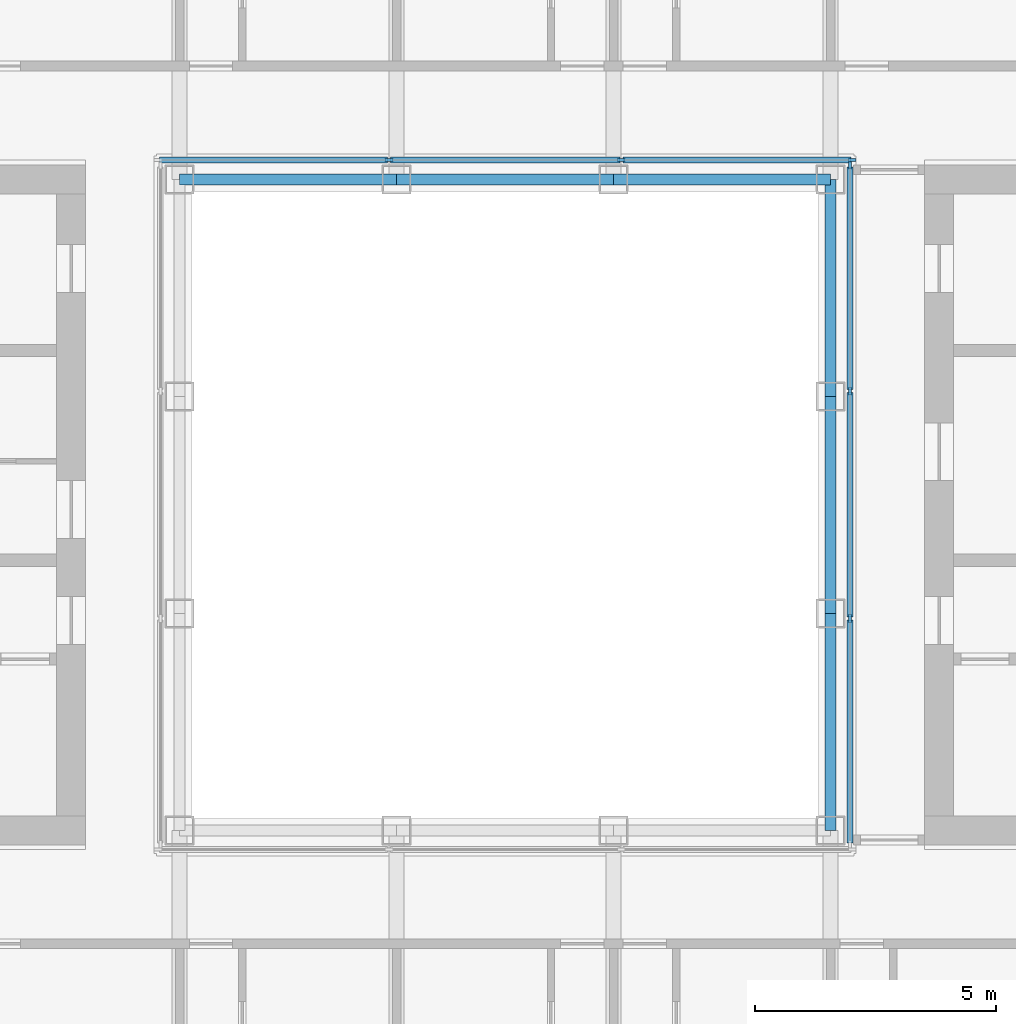
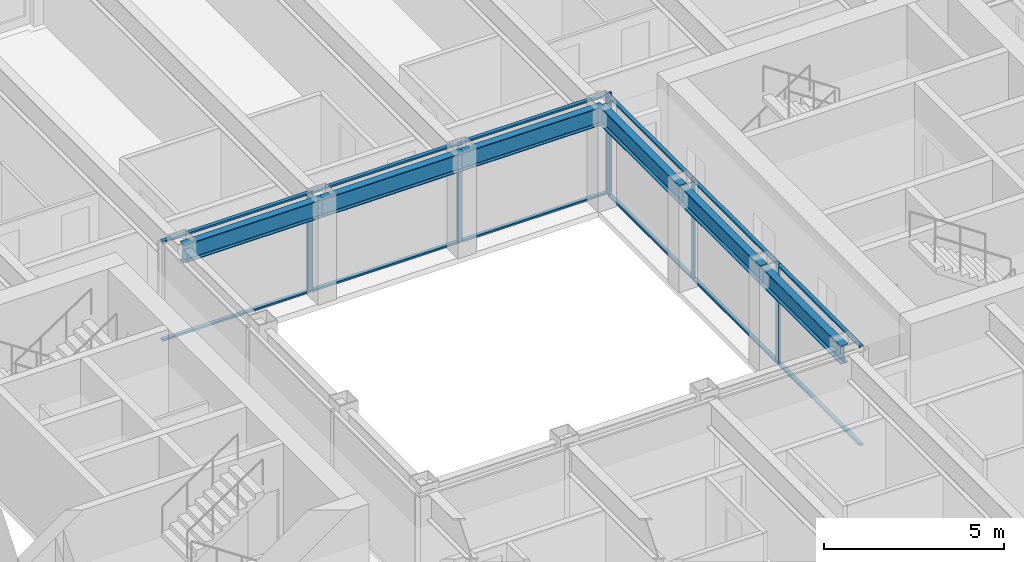
# One storey, part 5 of 18: 18 members, 6 beams, 2 elements without a shape of their own.
"""IFC4 building model written with IfcOpenShell, lengths in metres."""

from ifc_helpers import new_model, si_unit, direction, frame, origin, origin_2d, place, context, subcontext, project, spatial, rectangle, i_section, extrude, material, material_profile, profile_set, type_object, element, aggregate, save


model = new_model("IFC4")

# Units and contexts
model_context = context("Model", 3, precision=1e-05, world=origin(), true_north=direction((0.0, 1.0)))
body_context = subcontext(model_context, "Body", "Model", "MODEL_VIEW")
ifc_project = project(units=[si_unit("LENGTHUNIT", "METRE"), si_unit("AREAUNIT", "SQUARE_METRE"), si_unit("VOLUMEUNIT", "CUBIC_METRE"), si_unit("PLANEANGLEUNIT", "RADIAN"), si_unit("MASSUNIT", "GRAM", prefix="KILO")], contexts=[model_context])

# Site, building, storey
site_placement = place(None, origin())
site = spatial("IfcSite", under=ifc_project, at=site_placement, CompositionType="ELEMENT")
building_placement = place(site_placement, origin())
building = spatial("IfcBuilding", under=site, at=building_placement, Name="Msasa Ring Tower", CompositionType="ELEMENT")
storey_placement = place(building_placement, frame((0.0, 0.0, 183.199951171875)))
storey = spatial("IfcBuildingStorey", under=building, at=storey_placement, Name="L48", CompositionType="ELEMENT", Elevation=183.199951171875)

# Curtain wall, members
ifc_material_1 = material(Name="Aluminium curtain wall with clear glass", Category="aluminium")
curtain_wall_type = type_object("IfcCurtainWallType", Name="CW-W LIGHT WELL CURTAIN WALL", PredefinedType="NOTDEFINED", material=ifc_material_1)
curtain_wall_1_placement = place(storey_placement, origin())
curtain_wall_1 = element("IfcCurtainWall", 1, at=curtain_wall_1_placement, inside=storey, type_object=curtain_wall_type, Name="Light well curtain wall N L48", PredefinedType="NOTDEFINED")
ifc_material_2 = material(Name="Aluminium mullion", Category="aluminium")
ifc_material_profile_1 = material_profile(ifc_material_2, rectangle(XDim=0.06005859375, YDim=0.159912109375, at=origin_2d()), Name="AL 60x160")
ifc_profile_set_1 = profile_set([ifc_material_profile_1], Name="Aluminium mullion")
member_type_1 = type_object("IfcMemberType", Name="CW-W MULLION 60x160", PredefinedType="MULLION", material=ifc_profile_set_1)
member_1_placement = place(storey_placement, frame((-2.409912109375, 7.14990234375, 0.0), z_axis=(0.0, 0.0, 1.0), x_axis=(0.0, 1.0, 0.0)))
member_1 = element("IfcMember", 2, at=member_1_placement, type_object=member_type_1, Name="CW-W mullion 2", PredefinedType="MULLION", context=body_context, shape_type="SweptSolid", body=[
    extrude(rectangle(XDim=0.06005859375, YDim=0.159912109375, at=origin_2d()), origin(), (0.0, 0.0, 1.0), 3.400146484375),
])
member_2_placement = place(storey_placement, frame((2.409912109375, 7.14990234375, 0.0), z_axis=(0.0, 0.0, 1.0), x_axis=(0.0, 1.0, 0.0)))
member_2 = element("IfcMember", 3, at=member_2_placement, type_object=member_type_1, Name="CW-W mullion 3", PredefinedType="MULLION", context=body_context, shape_type="SweptSolid", body=[
    extrude(rectangle(XDim=0.06005859375, YDim=0.159912109375, at=origin_2d()), origin(), (0.0, 0.0, 1.0), 3.400146484375),
])
member_3_placement = place(storey_placement, frame((7.199951171875, 7.14990234375, 0.0), z_axis=(0.0, 0.0, 1.0), x_axis=(0.0, 1.0, 0.0)))
member_3 = element("IfcMember", 4, at=member_3_placement, type_object=member_type_1, Name="CW-W mullion 4", PredefinedType="MULLION", context=body_context, shape_type="SweptSolid", body=[
    extrude(rectangle(XDim=0.06005859375, YDim=0.159912109375, at=origin_2d()), origin(), (0.0, 0.0, 1.0), 3.400146484375),
])

curtain_wall_2_placement = place(storey_placement, origin())
curtain_wall_2 = element("IfcCurtainWall", 5, at=curtain_wall_2_placement, inside=storey, type_object=curtain_wall_type, Name="Light well curtain wall E L48", PredefinedType="NOTDEFINED")
member_4_placement = place(storey_placement, frame((7.14990234375, -2.356689453125, 0.0), z_axis=(0.0, 0.0, 1.0), x_axis=(-1.0, 0.0, 0.0)))
member_4 = element("IfcMember", 6, at=member_4_placement, type_object=member_type_1, Name="CW-W mullion 2", PredefinedType="MULLION", context=body_context, shape_type="SweptSolid", body=[
    extrude(rectangle(XDim=0.06005859375, YDim=0.159912109375, at=origin_2d()), origin(), (0.0, 0.0, 1.0), 3.400146484375),
])
member_5_placement = place(storey_placement, frame((7.14990234375, 2.356689453125, 0.0), z_axis=(0.0, 0.0, 1.0), x_axis=(-1.0, 0.0, 0.0)))
member_5 = element("IfcMember", 7, at=member_5_placement, type_object=member_type_1, Name="CW-W mullion 3", PredefinedType="MULLION", context=body_context, shape_type="SweptSolid", body=[
    extrude(rectangle(XDim=0.06005859375, YDim=0.159912109375, at=origin_2d()), origin(), (0.0, 0.0, 1.0), 3.400146484375),
])
member_6_placement = place(storey_placement, frame((7.14990234375, 7.0400390625, 0.0), z_axis=(0.0, 0.0, 1.0), x_axis=(-1.0, 0.0, 0.0)))
member_6 = element("IfcMember", 8, at=member_6_placement, type_object=member_type_1, Name="CW-W mullion 4", PredefinedType="MULLION", context=body_context, shape_type="SweptSolid", body=[
    extrude(rectangle(XDim=0.06005859375, YDim=0.159912109375, at=origin_2d()), origin(), (0.0, 0.0, 1.0), 3.400146484375),
])

# Member
ifc_material_3 = material(Name="Aluminium transom", Category="aluminium")
ifc_material_profile_2 = material_profile(ifc_material_3, rectangle(XDim=0.1201171875, YDim=0.06005859375, at=origin_2d()), Name="AL 60x120")
ifc_profile_set_2 = profile_set([ifc_material_profile_2], Name="Aluminium transom")
member_type_2 = type_object("IfcMemberType", Name="CW-W TRANSOM 60x120", PredefinedType="USERDEFINED", material=ifc_profile_set_2)
member_7_placement = place(storey_placement, frame((-7.169921875, 7.14990234375, 0.030029296875), z_axis=(1.0, 0.0, 0.0), x_axis=(0.0, 1.0, 0.0)))
member_7 = element("IfcMember", 9, at=member_7_placement, type_object=member_type_2, Name="CW-W transom 1.1", ObjectType="TRANSOM", PredefinedType="USERDEFINED", context=body_context, shape_type="SweptSolid", body=[
    extrude(rectangle(XDim=0.1201171875, YDim=0.06005859375, at=origin_2d()), origin(), (0.0, 0.0, 1.0), 4.72998046875),
])

member_8_placement = place(storey_placement, frame((-7.169921875, 7.14990234375, 3.3701171875), z_axis=(1.0, 0.0, 0.0), x_axis=(0.0, 1.0, 0.0)))
member_8 = element("IfcMember", 10, at=member_8_placement, type_object=member_type_2, Name="CW-W transom 1.2", ObjectType="TRANSOM", PredefinedType="USERDEFINED", context=body_context, shape_type="SweptSolid", body=[
    extrude(rectangle(XDim=0.1201171875, YDim=0.06005859375, at=origin_2d()), origin(), (0.0, 0.0, 1.0), 4.72998046875),
])

member_9_placement = place(storey_placement, frame((-2.3798828125, 7.14990234375, 0.030029296875), z_axis=(1.0, 0.0, 0.0), x_axis=(0.0, 1.0, 0.0)))
member_9 = element("IfcMember", 11, at=member_9_placement, type_object=member_type_2, Name="CW-W transom 2.1", ObjectType="TRANSOM", PredefinedType="USERDEFINED", context=body_context, shape_type="SweptSolid", body=[
    extrude(rectangle(XDim=0.1201171875, YDim=0.06005859375, at=origin_2d()), origin(), (0.0, 0.0, 1.0), 4.759765625),
])

member_10_placement = place(storey_placement, frame((-2.3798828125, 7.14990234375, 3.3701171875), z_axis=(1.0, 0.0, 0.0), x_axis=(0.0, 1.0, 0.0)))
member_10 = element("IfcMember", 12, at=member_10_placement, type_object=member_type_2, Name="CW-W transom 2.2", ObjectType="TRANSOM", PredefinedType="USERDEFINED", context=body_context, shape_type="SweptSolid", body=[
    extrude(rectangle(XDim=0.1201171875, YDim=0.06005859375, at=origin_2d()), origin(), (0.0, 0.0, 1.0), 4.759765625),
])

member_11_placement = place(storey_placement, frame((2.43994140625, 7.14990234375, 0.030029296875), z_axis=(1.0, 0.0, 0.0), x_axis=(0.0, 1.0, 0.0)))
member_11 = element("IfcMember", 13, at=member_11_placement, type_object=member_type_2, Name="CW-W transom 3.1", ObjectType="TRANSOM", PredefinedType="USERDEFINED", context=body_context, shape_type="SweptSolid", body=[
    extrude(rectangle(XDim=0.1201171875, YDim=0.06005859375, at=origin_2d()), origin(), (0.0, 0.0, 1.0), 4.72998046875),
])

member_12_placement = place(storey_placement, frame((2.43994140625, 7.14990234375, 3.3701171875), z_axis=(1.0, 0.0, 0.0), x_axis=(0.0, 1.0, 0.0)))
member_12 = element("IfcMember", 14, at=member_12_placement, type_object=member_type_2, Name="CW-W transom 3.2", ObjectType="TRANSOM", PredefinedType="USERDEFINED", context=body_context, shape_type="SweptSolid", body=[
    extrude(rectangle(XDim=0.1201171875, YDim=0.06005859375, at=origin_2d()), origin(), (0.0, 0.0, 1.0), 4.72998046875),
])

aggregate(curtain_wall_1, [member_1, member_2, member_3, member_7, member_8, member_9, member_10, member_11, member_12])

member_13_placement = place(storey_placement, frame((7.14990234375, -7.010009765625, 0.030029296875), z_axis=(0.0, 1.0, 0.0), x_axis=(-1.0, 0.0, 0.0)))
member_13 = element("IfcMember", 15, at=member_13_placement, type_object=member_type_2, Name="CW-W transom 1.1", ObjectType="TRANSOM", PredefinedType="USERDEFINED", context=body_context, shape_type="SweptSolid", body=[
    extrude(rectangle(XDim=0.1201171875, YDim=0.06005859375, at=origin_2d()), origin(), (0.0, 0.0, 1.0), 4.623291015625),
])

member_14_placement = place(storey_placement, frame((7.14990234375, -7.010009765625, 3.3701171875), z_axis=(0.0, 1.0, 0.0), x_axis=(-1.0, 0.0, 0.0)))
member_14 = element("IfcMember", 16, at=member_14_placement, type_object=member_type_2, Name="CW-W transom 1.2", ObjectType="TRANSOM", PredefinedType="USERDEFINED", context=body_context, shape_type="SweptSolid", body=[
    extrude(rectangle(XDim=0.1201171875, YDim=0.06005859375, at=origin_2d()), origin(), (0.0, 0.0, 1.0), 4.623291015625),
])

member_15_placement = place(storey_placement, frame((7.14990234375, -2.32666015625, 0.030029296875), z_axis=(0.0, 1.0, 0.0), x_axis=(-1.0, 0.0, 0.0)))
member_15 = element("IfcMember", 17, at=member_15_placement, type_object=member_type_2, Name="CW-W transom 2.1", ObjectType="TRANSOM", PredefinedType="USERDEFINED", context=body_context, shape_type="SweptSolid", body=[
    extrude(rectangle(XDim=0.1201171875, YDim=0.06005859375, at=origin_2d()), origin(), (0.0, 0.0, 1.0), 4.6533203125),
])

member_16_placement = place(storey_placement, frame((7.14990234375, -2.32666015625, 3.3701171875), z_axis=(0.0, 1.0, 0.0), x_axis=(-1.0, 0.0, 0.0)))
member_16 = element("IfcMember", 18, at=member_16_placement, type_object=member_type_2, Name="CW-W transom 2.2", ObjectType="TRANSOM", PredefinedType="USERDEFINED", context=body_context, shape_type="SweptSolid", body=[
    extrude(rectangle(XDim=0.1201171875, YDim=0.06005859375, at=origin_2d()), origin(), (0.0, 0.0, 1.0), 4.6533203125),
])

member_17_placement = place(storey_placement, frame((7.14990234375, 2.38671875, 0.030029296875), z_axis=(0.0, 1.0, 0.0), x_axis=(-1.0, 0.0, 0.0)))
member_17 = element("IfcMember", 19, at=member_17_placement, type_object=member_type_2, Name="CW-W transom 3.1", ObjectType="TRANSOM", PredefinedType="USERDEFINED", context=body_context, shape_type="SweptSolid", body=[
    extrude(rectangle(XDim=0.1201171875, YDim=0.06005859375, at=origin_2d()), origin(), (0.0, 0.0, 1.0), 4.623291015625),
])

member_18_placement = place(storey_placement, frame((7.14990234375, 2.38671875, 3.3701171875), z_axis=(0.0, 1.0, 0.0), x_axis=(-1.0, 0.0, 0.0)))
member_18 = element("IfcMember", 20, at=member_18_placement, type_object=member_type_2, Name="CW-W transom 3.2", ObjectType="TRANSOM", PredefinedType="USERDEFINED", context=body_context, shape_type="SweptSolid", body=[
    extrude(rectangle(XDim=0.1201171875, YDim=0.06005859375, at=origin_2d()), origin(), (0.0, 0.0, 1.0), 4.623291015625),
])

aggregate(curtain_wall_2, [member_4, member_5, member_6, member_13, member_14, member_15, member_16, member_17, member_18])

# Beams
ifc_material_4 = material(Name="Steel S355", Category="steel")
ifc_material_profile_3 = material_profile(ifc_material_4, i_section(OverallWidth=0.230224609375, OverallDepth=0.6171875, WebThickness=0.01318359375, FlangeThickness=0.022216796875, FilletRadius=0.0126953125, at=origin_2d()), Name="UB 610x229x140")
ifc_profile_set_3 = profile_set([ifc_material_profile_3], Name="Steel S355")
beam_type = type_object("IfcBeamType", Name="RB1 UB 610x229x140", PredefinedType="BEAM", material=ifc_profile_set_3)
for number, where, z_axis, x_axis, name in (
    (21, (6.75, -6.75, 3.091552734375), (0.0, 1.0, 0.0), (-1.0, 0.0, 0.0), "Inner ring beam IR+6.75-6.75 under L49"),
    (22, (6.75, -2.25, 3.091552734375), (0.0, 1.0, 0.0), (-1.0, 0.0, 0.0), "Inner ring beam IR+6.75-2.25 under L49"),
    (23, (6.75, 2.25, 3.091552734375), (0.0, 1.0, 0.0), (-1.0, 0.0, 0.0), "Inner ring beam IR+6.75+2.25 under L49"),
    (24, (6.75, 6.75, 3.091552734375), (-1.0, 0.0, 0.0), (0.0, -1.0, 0.0), "Inner ring beam IR+6.75+6.75 under L49"),
    (25, (2.25, 6.75, 3.091552734375), (-1.0, 0.0, 0.0), (0.0, -1.0, 0.0), "Inner ring beam IR+2.25+6.75 under L49"),
    (26, (-2.25, 6.75, 3.091552734375), (-1.0, 0.0, 0.0), (0.0, -1.0, 0.0), "Inner ring beam IR-2.25+6.75 under L49"),
):
    element("IfcBeam", number, at=place(storey_placement, frame(where, z_axis=z_axis, x_axis=x_axis)), inside=storey, type_object=beam_type, Name=name, PredefinedType="BEAM", context=body_context, shape_type="SweptSolid", body=[
        extrude(i_section(OverallWidth=0.230224609375, OverallDepth=0.6171875, WebThickness=0.01318359375, FlangeThickness=0.022216796875, FilletRadius=0.0126953125, at=origin_2d()), origin(), (0.0, 0.0, 1.0), 4.5),
    ])

save(model, "model.ifc")
